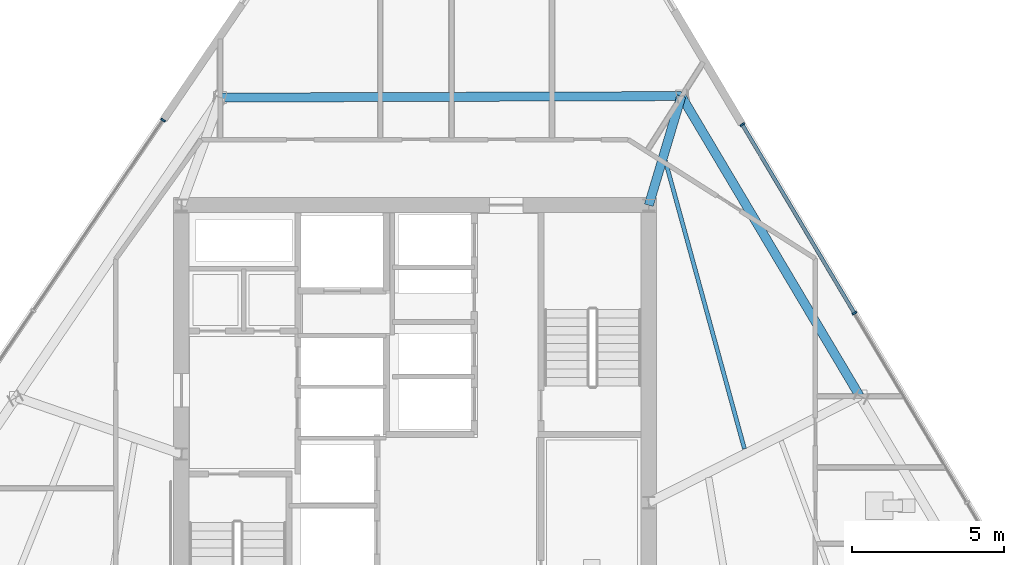
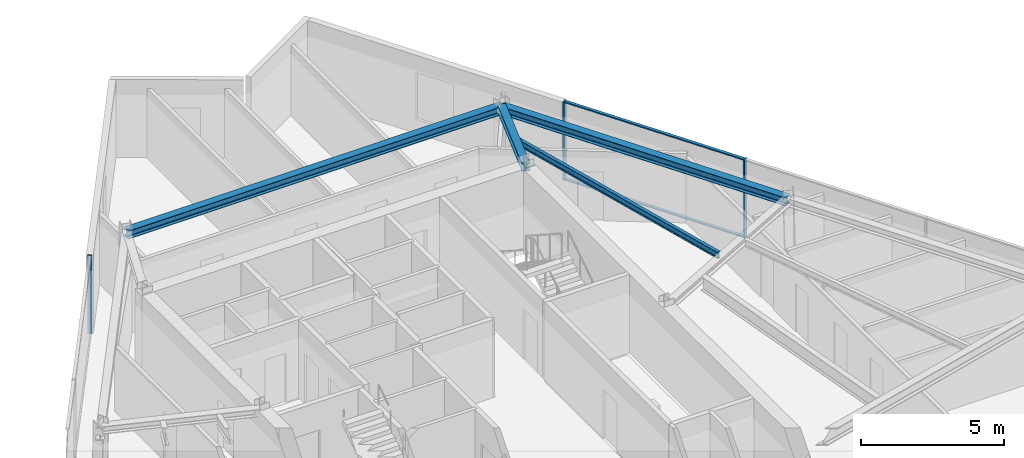
# One storey, part 6 of 14: 5 members, 4 beams, 2 elements without a shape of their own.
"""IFC4 building model written with IfcOpenShell, lengths in metres."""

from ifc_helpers import new_model, si_unit, direction, frame, origin, origin_2d, place, context, subcontext, project, spatial, rectangle, i_section, extrude, material, material_profile, profile_set, type_object, element, aggregate, save


model = new_model("IFC4")

# Units and contexts
model_context = context("Model", 3, precision=1e-05, world=origin(), true_north=direction((0.0, 1.0)))
body_context = subcontext(model_context, "Body", "Model", "MODEL_VIEW")
ifc_project = project(units=[si_unit("LENGTHUNIT", "METRE"), si_unit("AREAUNIT", "SQUARE_METRE"), si_unit("VOLUMEUNIT", "CUBIC_METRE"), si_unit("PLANEANGLEUNIT", "RADIAN"), si_unit("MASSUNIT", "GRAM", prefix="KILO")], contexts=[model_context])

# Site, building, storey
site_placement = place(None, origin())
site = spatial("IfcSite", under=ifc_project, at=site_placement, CompositionType="ELEMENT")
building_placement = place(site_placement, origin())
building = spatial("IfcBuilding", under=site, at=building_placement, Name="Savorim Split Tower", CompositionType="ELEMENT")
storey_placement = place(building_placement, frame((0.0, 0.0, 209.10009765625)))
storey = spatial("IfcBuildingStorey", under=building, at=storey_placement, Name="L55", CompositionType="ELEMENT", Elevation=209.10009765625)

# Beams
ifc_material_1 = material(Name="Steel S355", Category="steel")
ifc_material_profile_1 = material_profile(ifc_material_1, i_section(OverallWidth=0.135009765625, OverallDepth=0.27001953125, WebThickness=0.006591796875, FlangeThickness=0.01025390625, FilletRadius=0.014892578125, at=origin_2d()), Name="IPE 270")
ifc_profile_set_1 = profile_set([ifc_material_profile_1], Name="Steel S355")
beam_type_1 = type_object("IfcBeamType", Name="BM-JST-IPE270", PredefinedType="JOIST", material=ifc_profile_set_1)
beam_1_placement = place(storey_placement, frame((10.85107421875, 2.173583984375, 3.21484375), z_axis=(-0.264798556531, 0.964303751138, 0.0), x_axis=(-0.964303751138, -0.264798556531, 0.0)))
element("IfcBeam", 1, at=beam_1_placement, inside=storey, type_object=beam_type_1, Name="L55 Secondary Floor Joist JS-07", PredefinedType="JOIST", context=body_context, shape_type="SweptSolid", body=[
    extrude(i_section(OverallWidth=0.135009765625, OverallDepth=0.27001953125, WebThickness=0.006591796875, FlangeThickness=0.01025390625, FilletRadius=0.014892578125, at=origin_2d()), origin(), (0.0, 0.0, 1.0), 9.877197265625),
])
ifc_material_profile_2 = material_profile(ifc_material_1, i_section(OverallWidth=0.300048828125, OverallDepth=0.320068359375, WebThickness=0.011474609375, FlangeThickness=0.0205078125, FilletRadius=0.027099609375, at=origin_2d()), Name="HEB 320")
ifc_profile_set_2 = profile_set([ifc_material_profile_2], Name="Steel S355")
beam_type_2 = type_object("IfcBeamType", Name="BM-PRI-HEB320", PredefinedType="BEAM", material=ifc_profile_set_2)
beam_2_placement = place(storey_placement, frame((8.772216796875, 13.79248046875, 3.18994140625), z_axis=(-0.286003399527, -0.958228602923, 0.0), x_axis=(0.958228602923, -0.286003399527, 0.0)))
element("IfcBeam", 2, at=beam_2_placement, inside=storey, type_object=beam_type_2, Name="L55 Primary Floor Girder RG-07", PredefinedType="BEAM", context=body_context, shape_type="SweptSolid", body=[
    extrude(i_section(OverallWidth=0.300048828125, OverallDepth=0.320068359375, WebThickness=0.011474609375, FlangeThickness=0.0205078125, FilletRadius=0.027099609375, at=origin_2d()), origin(), (0.0, 0.0, 1.0), 3.7490234375),
])
ifc_material_profile_3 = material_profile(ifc_material_1, i_section(OverallWidth=0.300048828125, OverallDepth=0.35009765625, WebThickness=0.010009765625, FlangeThickness=0.017578125, FilletRadius=0.027099609375, at=origin_2d()), Name="HEA 360")
ifc_profile_set_3 = profile_set([ifc_material_profile_3], Name="Steel S355")
beam_type_3 = type_object("IfcBeamType", Name="BM-SPN-HEA360", PredefinedType="SPANDREL", material=ifc_profile_set_3)
beam_3_placement = place(storey_placement, frame((14.64208984375, 3.92041015625, 3.1748046875), z_axis=(-0.511074968431, 0.859536140394, 0.0), x_axis=(-0.859536140394, -0.511074968431, 0.0)))
element("IfcBeam", 3, at=beam_3_placement, inside=storey, type_object=beam_type_3, Name="L55 Perimeter Spandrel Beam 6", PredefinedType="SPANDREL", context=body_context, shape_type="SweptSolid", body=[
    extrude(i_section(OverallWidth=0.300048828125, OverallDepth=0.35009765625, WebThickness=0.010009765625, FlangeThickness=0.017578125, FilletRadius=0.027099609375, at=origin_2d()), origin(), (0.0, 0.0, 1.0), 11.4853515625),
])
beam_4_placement = place(storey_placement, frame((8.772216796875, 13.79248046875, 3.1748046875), z_axis=(-0.999994826374, -0.003216710338, 0.0), x_axis=(0.003216710338, -0.999994826374, 0.0)))
element("IfcBeam", 4, at=beam_4_placement, inside=storey, type_object=beam_type_3, Name="L55 Perimeter Spandrel Beam 7", PredefinedType="SPANDREL", context=body_context, shape_type="SweptSolid", body=[
    extrude(i_section(OverallWidth=0.300048828125, OverallDepth=0.35009765625, WebThickness=0.010009765625, FlangeThickness=0.017578125, FilletRadius=0.027099609375, at=origin_2d()), origin(), (0.0, 0.0, 1.0), 15.179443359375),
])

# Curtain wall, members
ifc_material_2 = material(Name="Dark Ceramic-Fritted Insulated Glass", Category="glass")
curtain_wall_type = type_object("IfcCurtainWallType", Name="CW-TWR-FRIT-B", PredefinedType="NOTDEFINED", material=ifc_material_2)
curtain_wall_1_placement = place(storey_placement, origin())
curtain_wall_1 = element("IfcCurtainWall", 5, at=curtain_wall_1_placement, inside=storey, type_object=curtain_wall_type, Name="L55 Curtain Wall CW-L55-EAST", PredefinedType="NOTDEFINED")
ifc_material_3 = material(Name="Charcoal Anodised Aluminium", Category="aluminium")
ifc_material_profile_4 = material_profile(ifc_material_3, rectangle(XDim=0.159912109375, YDim=0.06005859375, at=origin_2d()), Name="ALU-M 160x60")
ifc_profile_set_4 = profile_set([ifc_material_profile_4], Name="Charcoal Anodised Aluminium")
member_type_1 = type_object("IfcMemberType", Name="CWM-160x60", PredefinedType="MULLION", material=ifc_profile_set_4)
member_1_placement = place(storey_placement, frame((14.473388671875, 6.641357421875, 0.0), z_axis=(0.0, 0.0, 1.0), x_axis=(-0.859525909056, -0.511092175308, 0.0)))
member_1 = element("IfcMember", 6, at=member_1_placement, type_object=member_type_1, Name="CW-03 mullion 4", PredefinedType="MULLION", context=body_context, shape_type="SweptSolid", body=[
    extrude(rectangle(XDim=0.159912109375, YDim=0.06005859375, at=origin_2d()), origin(), (0.0, 0.0, 1.0), 3.349853515625),
])
member_2_placement = place(storey_placement, frame((10.779296875, 12.853759765625, 0.0), z_axis=(0.0, 0.0, 1.0), x_axis=(-0.859525909056, -0.511092175308, 0.0)))
member_2 = element("IfcMember", 7, at=member_2_placement, type_object=member_type_1, Name="CW-03 mullion 5", PredefinedType="MULLION", context=body_context, shape_type="SweptSolid", body=[
    extrude(rectangle(XDim=0.159912109375, YDim=0.06005859375, at=origin_2d()), origin(), (0.0, 0.0, 1.0), 3.349853515625),
])

# Curtain wall, member
curtain_wall_2_placement = place(storey_placement, origin())
curtain_wall_2 = element("IfcCurtainWall", 8, at=curtain_wall_2_placement, inside=storey, type_object=curtain_wall_type, Name="L55 Curtain Wall CW-L55-WEST", PredefinedType="NOTDEFINED")
member_3_placement = place(storey_placement, frame((-8.30078125, 13.0009765625, 0.0), z_axis=(0.0, 0.0, 1.0), x_axis=(0.826820907104, -0.562465276773, 0.0)))
member_3 = element("IfcMember", 9, at=member_3_placement, type_object=member_type_1, Name="CW-03 mullion 1", PredefinedType="MULLION", context=body_context, shape_type="SweptSolid", body=[
    extrude(rectangle(XDim=0.159912109375, YDim=0.06005859375, at=origin_2d()), origin(), (0.0, 0.0, 1.0), 3.349853515625),
])
aggregate(curtain_wall_2, [member_3])

# Member
ifc_material_profile_5 = material_profile(ifc_material_3, rectangle(XDim=0.1201171875, YDim=0.050048828125, at=origin_2d()), Name="ALU-T 120x50")
ifc_profile_set_5 = profile_set([ifc_material_profile_5], Name="Charcoal Anodised Aluminium")
member_type_2 = type_object("IfcMemberType", Name="CWT-120x50", PredefinedType="USERDEFINED", material=ifc_profile_set_5)
member_4_placement = place(storey_placement, frame((14.4580078125, 6.667236328125, 0.02490234375), z_axis=(-0.511085594604, 0.859529822047, 0.0), x_axis=(-0.859529822047, -0.511085594604, 0.0)))
member_4 = element("IfcMember", 10, at=member_4_placement, type_object=member_type_2, Name="CW-03 transom 4.1", ObjectType="TRANSOM", PredefinedType="USERDEFINED", context=body_context, shape_type="SweptSolid", body=[
    extrude(rectangle(XDim=0.1201171875, YDim=0.050048828125, at=origin_2d()), origin(), (0.0, 0.0, 1.0), 7.167724609375),
])

member_5_placement = place(storey_placement, frame((14.4580078125, 6.667236328125, 3.324951171875), z_axis=(-0.511085594604, 0.859529822047, 0.0), x_axis=(-0.859529822047, -0.511085594604, 0.0)))
member_5 = element("IfcMember", 11, at=member_5_placement, type_object=member_type_2, Name="CW-03 transom 4.2", ObjectType="TRANSOM", PredefinedType="USERDEFINED", context=body_context, shape_type="SweptSolid", body=[
    extrude(rectangle(XDim=0.1201171875, YDim=0.050048828125, at=origin_2d()), origin(), (0.0, 0.0, 1.0), 7.167724609375),
])

aggregate(curtain_wall_1, [member_1, member_2, member_4, member_5])

save(model, "model.ifc")
